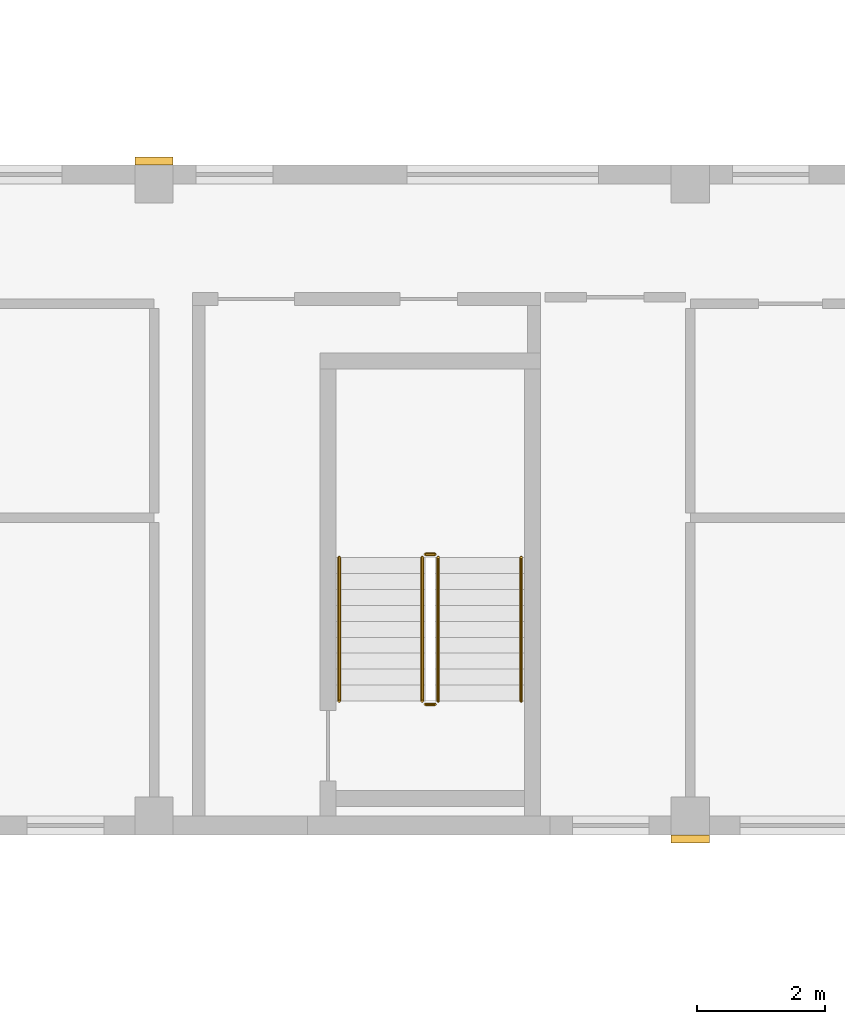
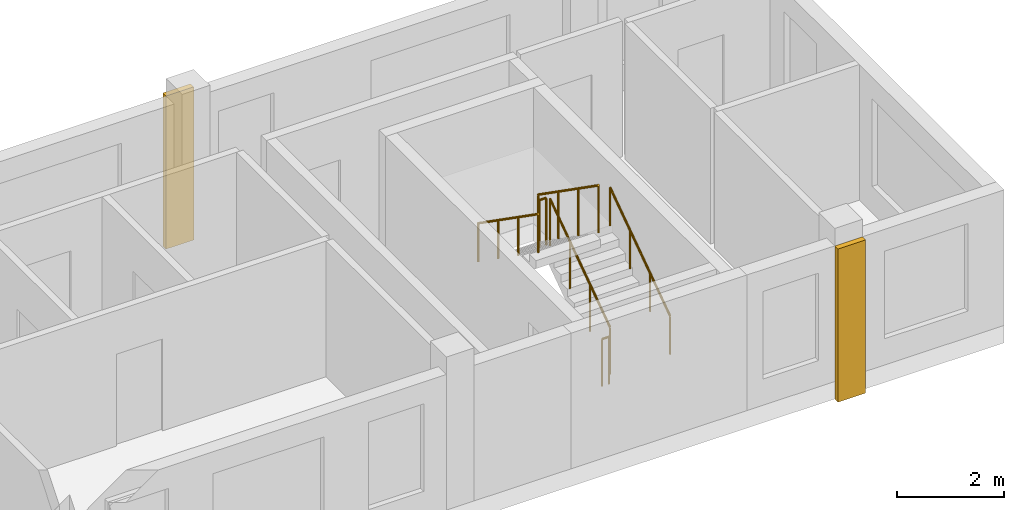
# One storey, part 9 of 10: 6 railings, 2 coverings.
"""IFC4 building model written with IfcOpenShell, lengths in metres."""

from ifc_helpers import new_model, si_unit, direction, frame, origin, origin_2d, place, context, subcontext, project, spatial, rectangle, circle, extrude, source, transform, mapped, material, type_object, element, save


model = new_model("IFC4")

# Units and contexts
model_context = context("Model", 3, precision=1e-05, world=origin(), true_north=direction((0.0, 1.0)))
body_context = subcontext(model_context, "Body", "Model", "MODEL_VIEW")
ifc_project = project(units=[si_unit("LENGTHUNIT", "METRE"), si_unit("AREAUNIT", "SQUARE_METRE"), si_unit("VOLUMEUNIT", "CUBIC_METRE"), si_unit("PLANEANGLEUNIT", "RADIAN"), si_unit("MASSUNIT", "GRAM", prefix="KILO")], contexts=[model_context])

# Site, building, storey
site_placement = place(None, origin())
site = spatial("IfcSite", under=ifc_project, at=site_placement, CompositionType="ELEMENT")
building_placement = place(site_placement, origin())
building = spatial("IfcBuilding", under=site, at=building_placement, Name="Aurelian Terraces", CompositionType="ELEMENT")
storey_placement = place(building_placement, frame((0.0, 0.0, 361.5)))
storey = spatial("IfcBuildingStorey", under=building, at=storey_placement, Name="L86", CompositionType="ELEMENT", Elevation=361.5)

# Coverings
ifc_material_1 = material(Name="Terracotta rainscreen cladding relief", Category="masonry")
covering_type = type_object("IfcCoveringType", Name="BAGUETTE-TC", PredefinedType="CLADDING", material=ifc_material_1)
shared_shape_1 = source(origin(), body_context, "Body", "SweptSolid", [
    extrude(rectangle(XDim=0.6, YDim=0.12, at=origin_2d()), origin(), (0.0, 0.0, 1.0), 3.5),
])
for number, where, z_axis, x_axis, name in (
    (1, (46.2, -0.06, -0.4), (0.0, 0.0, 1.0), (1.0, 0.0, 0.0), "BAGUETTE pier L86 3"),
    (2, (37.8, 10.56, -0.4), (0.0, 0.0, 1.0), (1.0, 0.0, 0.0), "BAGUETTE pier L86 4"),
):
    element("IfcCovering", number, at=place(storey_placement, frame(where, z_axis=z_axis, x_axis=x_axis)), inside=storey, type_object=covering_type, Name=name, PredefinedType="CLADDING", context=body_context, shape_type="MappedRepresentation", body=[
        mapped(shared_shape_1, transform((0.0, 0.0, 0.0), scale=1.0)),
    ])

# Railings
ifc_material_2 = material(Name="Stainless steel", Category="steel")
railing_type_1 = type_object("IfcRailingType", Name="Stair guard 1100", PredefinedType="GUARDRAIL", material=ifc_material_2)
shared_shape_2 = source(origin(), body_context, "Body", "SweptSolid", [
    extrude(circle(Radius=0.024, at=origin_2d()), frame((0.0, 0.0, 1.076), z_axis=(-1.0, 0.0, 0.0), x_axis=(0.0, -1.0, 0.0)), (0.0, 0.0, 1.0), 0.15),
    extrude(circle(Radius=0.021, at=origin_2d()), origin(), (0.0, 0.0, 1.0), 1.052),
    extrude(circle(Radius=0.021, at=origin_2d()), frame((-0.15, 0.0, 0.0)), (0.0, 0.0, 1.0), 1.052),
])
for number, where, name in (
    (3, (42.2, 4.4, 1.75), "L86 S2 stair guard 2"),
    (4, (42.2, 2.05, 0.0), "L86 S2 stair guard 4"),
):
    element("IfcRailing", number, at=place(storey_placement, frame(where)), inside=storey, type_object=railing_type_1, Name=name, PredefinedType="GUARDRAIL", context=body_context, shape_type="MappedRepresentation", body=[
        mapped(shared_shape_2, transform((0.0, 0.0, 0.0), scale=1.0)),
    ])
shared_shape_3 = source(origin(), body_context, "Body", "SweptSolid", [
    extrude(circle(Radius=0.024, at=origin_2d()), frame((0.0, 0.0, 1.076), z_axis=(0.0, 0.819231920519, 0.573462344363), x_axis=(-1.0, 0.0, 0.0)), (0.0, 0.0, 1.0), 2.7465),
    extrude(circle(Radius=0.021, at=origin_2d()), origin(), (0.0, 0.0, 1.0), 1.052),
    extrude(circle(Radius=0.021, at=origin_2d()), frame((0.0, 0.75, 0.525)), (0.0, 0.0, 1.0), 1.052),
    extrude(circle(Radius=0.021, at=origin_2d()), frame((0.0, 1.5, 1.05)), (0.0, 0.0, 1.0), 1.052),
    extrude(circle(Radius=0.021, at=origin_2d()), frame((0.0, 2.25, 1.575)), (0.0, 0.0, 1.0), 1.052),
])
railing_1_placement = place(storey_placement, frame((42.25, 2.1, 0.175)))
element("IfcRailing", 5, at=railing_1_placement, inside=storey, type_object=railing_type_1, Name="L86 S2 stair guard 1", PredefinedType="GUARDRAIL", context=body_context, shape_type="MappedRepresentation", body=[
    mapped(shared_shape_3, transform((0.0, 0.0, 0.0), scale=1.0)),
])
shared_shape_4 = source(origin(), body_context, "Body", "SweptSolid", [
    extrude(circle(Radius=0.024, at=origin_2d()), frame((0.0, 0.0, 1.076), z_axis=(0.0, -0.819231920519, 0.573462344363), x_axis=(1.0, 0.0, 0.0)), (0.0, 0.0, 1.0), 2.7465),
    extrude(circle(Radius=0.021, at=origin_2d()), origin(), (0.0, 0.0, 1.0), 1.052),
    extrude(circle(Radius=0.021, at=origin_2d()), frame((0.0, -0.75, 0.525)), (0.0, 0.0, 1.0), 1.052),
    extrude(circle(Radius=0.021, at=origin_2d()), frame((0.0, -1.5, 1.05)), (0.0, 0.0, 1.0), 1.052),
    extrude(circle(Radius=0.021, at=origin_2d()), frame((0.0, -2.25, 1.575)), (0.0, 0.0, 1.0), 1.052),
])
railing_2_placement = place(storey_placement, frame((42.0, 4.35, 1.925)))
element("IfcRailing", 6, at=railing_2_placement, inside=storey, type_object=railing_type_1, Name="L86 S2 stair guard 3", PredefinedType="GUARDRAIL", context=body_context, shape_type="MappedRepresentation", body=[
    mapped(shared_shape_4, transform((0.0, 0.0, 0.0), scale=1.0)),
])
railing_type_2 = type_object("IfcRailingType", Name="Stair handrail", PredefinedType="HANDRAIL", material=ifc_material_2)
shared_shape_5 = source(origin(), body_context, "Body", "SweptSolid", [
    extrude(circle(Radius=0.024, at=origin_2d()), frame((0.0, 0.0, 0.876), z_axis=(0.0, 0.819231920519, 0.573462344363), x_axis=(-1.0, 0.0, 0.0)), (0.0, 0.0, 1.0), 2.7465),
    extrude(circle(Radius=0.021, at=origin_2d()), origin(), (0.0, 0.0, 1.0), 0.852),
    extrude(circle(Radius=0.021, at=origin_2d()), frame((0.0, 0.75, 0.525)), (0.0, 0.0, 1.0), 0.852),
    extrude(circle(Radius=0.021, at=origin_2d()), frame((0.0, 1.5, 1.05)), (0.0, 0.0, 1.0), 0.852),
    extrude(circle(Radius=0.021, at=origin_2d()), frame((0.0, 2.25, 1.575)), (0.0, 0.0, 1.0), 0.852),
])
railing_3_placement = place(storey_placement, frame((43.55, 2.1, 0.175)))
element("IfcRailing", 7, at=railing_3_placement, inside=storey, type_object=railing_type_2, Name="L86 S2 stair handrail 1", PredefinedType="HANDRAIL", context=body_context, shape_type="MappedRepresentation", body=[
    mapped(shared_shape_5, transform((0.0, 0.0, 0.0), scale=1.0)),
])
shared_shape_6 = source(origin(), body_context, "Body", "SweptSolid", [
    extrude(circle(Radius=0.024, at=origin_2d()), frame((0.0, 0.0, 0.876), z_axis=(0.0, -0.819231920519, 0.573462344363), x_axis=(1.0, 0.0, 0.0)), (0.0, 0.0, 1.0), 2.7465),
    extrude(circle(Radius=0.021, at=origin_2d()), origin(), (0.0, 0.0, 1.0), 0.852),
    extrude(circle(Radius=0.021, at=origin_2d()), frame((0.0, -0.75, 0.525)), (0.0, 0.0, 1.0), 0.852),
    extrude(circle(Radius=0.021, at=origin_2d()), frame((0.0, -1.5, 1.05)), (0.0, 0.0, 1.0), 0.852),
    extrude(circle(Radius=0.021, at=origin_2d()), frame((0.0, -2.25, 1.575)), (0.0, 0.0, 1.0), 0.852),
])
railing_4_placement = place(storey_placement, frame((40.7, 4.35, 1.925)))
element("IfcRailing", 8, at=railing_4_placement, inside=storey, type_object=railing_type_2, Name="L86 S2 stair handrail 2", PredefinedType="HANDRAIL", context=body_context, shape_type="MappedRepresentation", body=[
    mapped(shared_shape_6, transform((0.0, 0.0, 0.0), scale=1.0)),
])

save(model, "model.ifc")
